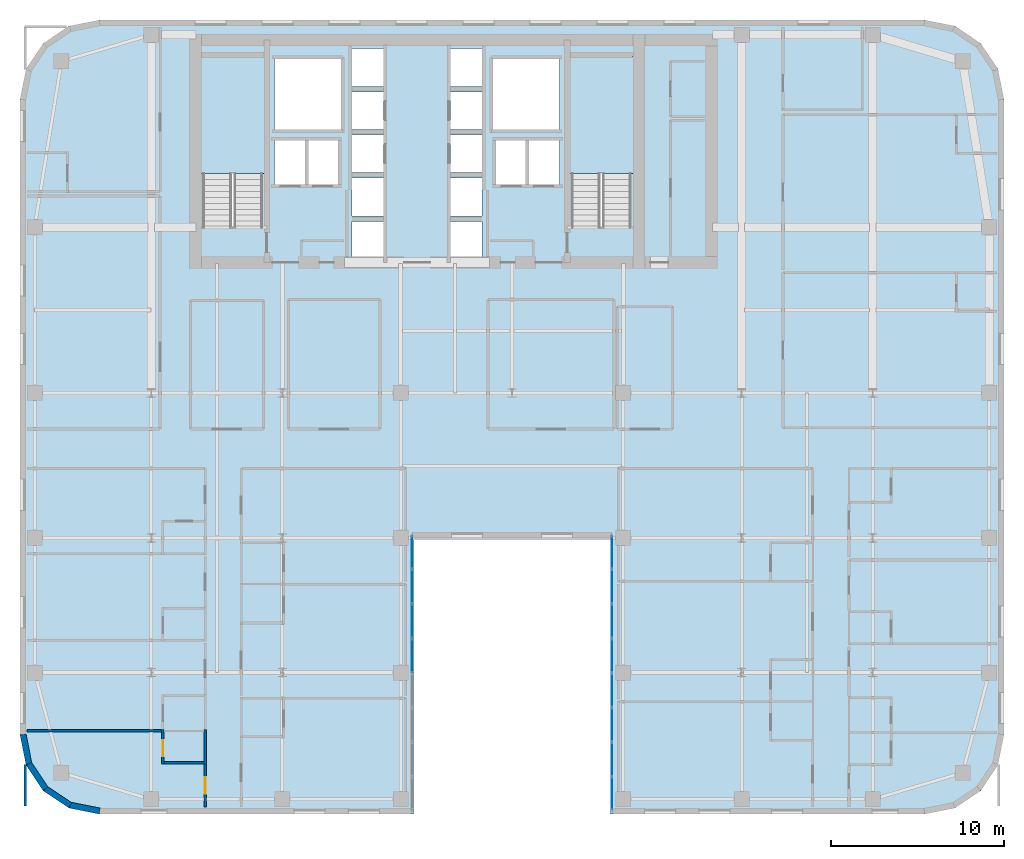
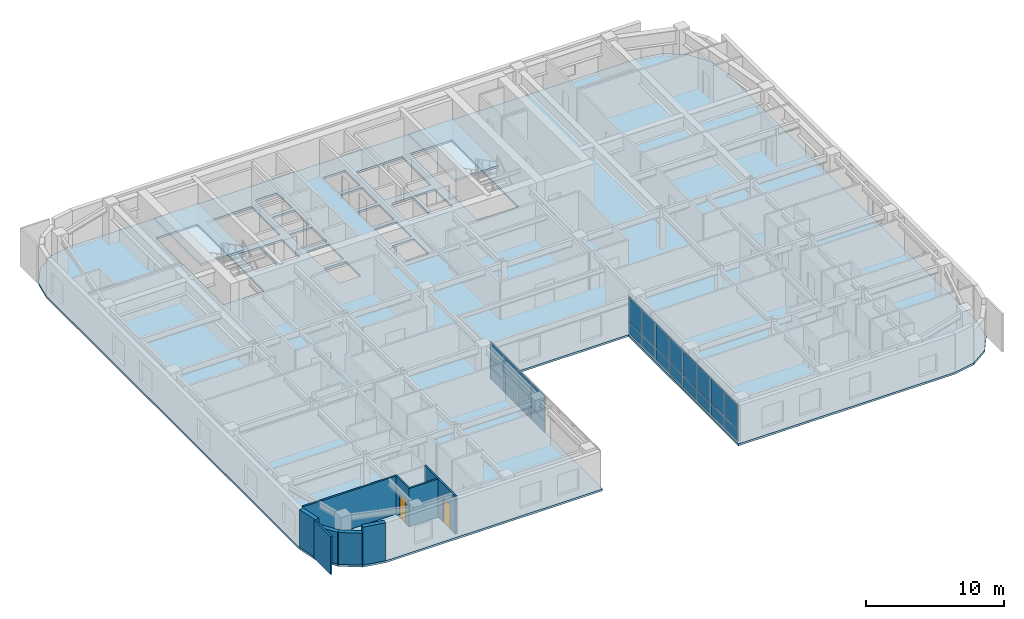
# One storey, part 9 of 17: 24 plates, 10 walls, 3 slabs, 2 doors, 2 openings, 4 elements without a shape of their own.
"""IFC4 building model written with IfcOpenShell, lengths in metres."""

from ifc_helpers import new_model, si_unit, direction, frame, frame_2d, origin, origin_2d, place, context, subcontext, project, spatial, polyline, rectangle, outline, extrude, source, transform, mapped, material, layer, layer_set, type_object, type_shapes, element, fill, aggregate, save


model = new_model("IFC4")

# Units and contexts
model_context = context("Model", 3, precision=1e-05, world=origin(), true_north=direction((0.0, 1.0)))
body_context = subcontext(model_context, "Body", "Model", "MODEL_VIEW")
ifc_project = project(units=[si_unit("LENGTHUNIT", "METRE"), si_unit("AREAUNIT", "SQUARE_METRE"), si_unit("VOLUMEUNIT", "CUBIC_METRE"), si_unit("PLANEANGLEUNIT", "RADIAN"), si_unit("MASSUNIT", "GRAM", prefix="KILO")], contexts=[model_context])

# Site, building, storey
site_placement = place(None, origin())
site = spatial("IfcSite", under=ifc_project, at=site_placement, CompositionType="ELEMENT")
building_placement = place(site_placement, origin())
building = spatial("IfcBuilding", under=site, at=building_placement, Name="Tolvann Quenvar Hotel", CompositionType="ELEMENT")
storey_placement = place(building_placement, frame((0.0, 0.0, 136.39990234375)))
storey = spatial("IfcBuildingStorey", under=building, at=storey_placement, Name="L35", CompositionType="ELEMENT", Elevation=136.39990234375)

# Stair, slab
ifc_material_1 = material(Name="Concrete N40 (40 MPa)", Category="concrete")
stair_type = type_object("IfcStairType", Name="STAIR", PredefinedType="HALF_TURN_STAIR", material=ifc_material_1)
stair_1_placement = place(storey_placement, origin())
stair_1 = element("IfcStair", 1, at=stair_1_placement, inside=storey, type_object=stair_type, Name="L35 ST-C1", PredefinedType="HALF_TURN_STAIR")
ifc_layer_1 = layer(ifc_material_1, 0.199951171875)
ifc_layer_set_1 = layer_set([ifc_layer_1], Name="Concrete N40 (40 MPa)")
slab_type_1 = type_object("IfcSlabType", Name="SLAB_LANDING", PredefinedType="LANDING", material=ifc_layer_set_1)
slab_1_placement = place(storey_placement, frame((0.0, 0.0, 1.5751953125)))
slab_1 = element("IfcSlab", 2, at=slab_1_placement, type_object=slab_type_1, Name="ST-C1 landing 1", PredefinedType="LANDING", context=body_context, shape_type="SweptSolid", body=[
    extrude(outline(polyline([(14.179931640625, 37.10498046875), (14.179931640625, 43.8798828125), (10.469970703125, 43.8798828125), (10.469970703125, 37.10498046875), (14.179931640625, 37.10498046875)])), origin(), (0.0, 0.0, 1.0), 0.199951171875),
])
aggregate(stair_1, [slab_1])

stair_2_placement = place(storey_placement, origin())
stair_2 = element("IfcStair", 3, at=stair_2_placement, inside=storey, type_object=stair_type, Name="L35 ST-C2", PredefinedType="HALF_TURN_STAIR")
slab_2_placement = place(storey_placement, frame((0.0, 0.0, 1.5751953125)))
slab_2 = element("IfcSlab", 4, at=slab_2_placement, type_object=slab_type_1, Name="ST-C2 landing 1", PredefinedType="LANDING", context=body_context, shape_type="SweptSolid", body=[
    extrude(outline(polyline([(35.530029296875, 37.10498046875), (35.530029296875, 43.8798828125), (31.820068359375, 43.8798828125), (31.820068359375, 37.10498046875), (35.530029296875, 37.10498046875)])), origin(), (0.0, 0.0, 1.0), 0.199951171875),
])
aggregate(stair_2, [slab_2])

# Slab
ifc_layer_2 = layer(ifc_material_1, 0.179931640625)
ifc_layer_set_2 = layer_set([ifc_layer_2], Name="Concrete N40 (40 MPa)")
slab_type_2 = type_object("IfcSlabType", Name="SLAB_TWR_180", PredefinedType="FLOOR", material=ifc_layer_set_2)
slab_3_placement = place(storey_placement, frame((0.0, 0.0, -0.179931640625)))
element("IfcSlab", 5, at=slab_3_placement, inside=storey, type_object=slab_type_2, Name="Level L35 Structural Floor Slab", PredefinedType="FLOOR", context=body_context, shape_type="SweptSolid", body=[
    extrude(outline(polyline([(0.0, 4.60009765625), (0.35009765625, 2.839599609375), (1.347412109375, 1.347412109375), (2.839599609375, 0.35009765625), (4.60009765625, 0.0), (22.800048828125, 0.0), (22.800048828125, 16.0), (34.199951171875, 16.0), (34.199951171875, 0.0), (52.39990234375, 0.0), (54.160400390625, 0.35009765625), (55.652587890625, 1.347412109375), (56.64990234375, 2.839599609375), (57.0, 4.60009765625), (57.0, 41.39990234375), (56.64990234375, 43.160400390625), (55.652587890625, 44.652587890625), (54.160400390625, 45.64990234375), (52.39990234375, 46.0), (4.60009765625, 46.0), (2.839599609375, 45.64990234375), (1.347412109375, 44.652587890625), (0.35009765625, 43.160400390625), (0.0, 41.39990234375), (0.0, 4.60009765625)]), holes=[polyline([(31.949951171875, 34.02490234375), (31.949951171875, 43.800048828125), (35.39990234375, 43.800048828125), (35.39990234375, 34.02490234375), (31.949951171875, 34.02490234375)]), polyline([(29.449951171875, 39.02001953125), (31.25, 39.02001953125), (31.25, 36.47998046875), (29.449951171875, 36.47998046875), (29.449951171875, 39.02001953125)]), polyline([(31.25, 43.75), (31.25, 39.64990234375), (27.39990234375, 39.64990234375), (27.39990234375, 43.75), (31.25, 43.75)]), polyline([(27.574951171875, 39.02001953125), (29.324951171875, 39.02001953125), (29.324951171875, 36.47998046875), (27.574951171875, 36.47998046875), (27.574951171875, 39.02001953125)]), polyline([(26.77001953125, 44.340087890625), (26.77001953125, 42.159912109375), (24.929931640625, 42.159912109375), (24.929931640625, 44.340087890625), (26.77001953125, 44.340087890625)]), polyline([(24.929931640625, 41.840087890625), (26.77001953125, 41.840087890625), (26.77001953125, 39.659912109375), (24.929931640625, 39.659912109375), (24.929931640625, 41.840087890625)]), polyline([(24.929931640625, 39.340087890625), (26.77001953125, 39.340087890625), (26.77001953125, 37.159912109375), (24.929931640625, 37.159912109375), (24.929931640625, 39.340087890625)]), polyline([(24.929931640625, 36.840087890625), (26.77001953125, 36.840087890625), (26.77001953125, 34.659912109375), (24.929931640625, 34.659912109375), (24.929931640625, 36.840087890625)]), polyline([(24.929931640625, 34.340087890625), (26.77001953125, 34.340087890625), (26.77001953125, 32.159912109375), (24.929931640625, 32.159912109375), (24.929931640625, 34.340087890625)]), polyline([(21.070068359375, 44.340087890625), (21.070068359375, 42.159912109375), (19.22998046875, 42.159912109375), (19.22998046875, 44.340087890625), (21.070068359375, 44.340087890625)]), polyline([(19.22998046875, 41.840087890625), (21.070068359375, 41.840087890625), (21.070068359375, 39.659912109375), (19.22998046875, 39.659912109375), (19.22998046875, 41.840087890625)]), polyline([(19.22998046875, 39.340087890625), (21.070068359375, 39.340087890625), (21.070068359375, 37.159912109375), (19.22998046875, 37.159912109375), (19.22998046875, 39.340087890625)]), polyline([(19.22998046875, 36.840087890625), (21.070068359375, 36.840087890625), (21.070068359375, 34.659912109375), (19.22998046875, 34.659912109375), (19.22998046875, 36.840087890625)]), polyline([(19.22998046875, 34.340087890625), (21.070068359375, 34.340087890625), (21.070068359375, 32.159912109375), (19.22998046875, 32.159912109375), (19.22998046875, 34.340087890625)]), polyline([(18.60009765625, 43.75), (18.60009765625, 39.64990234375), (14.75, 39.64990234375), (14.75, 43.75), (18.60009765625, 43.75)]), polyline([(16.675048828125, 39.02001953125), (18.425048828125, 39.02001953125), (18.425048828125, 36.47998046875), (16.675048828125, 36.47998046875), (16.675048828125, 39.02001953125)]), polyline([(14.75, 39.02001953125), (16.550048828125, 39.02001953125), (16.550048828125, 36.47998046875), (14.75, 36.47998046875), (14.75, 39.02001953125)]), polyline([(10.60009765625, 34.02490234375), (10.60009765625, 43.800048828125), (14.050048828125, 43.800048828125), (14.050048828125, 34.02490234375), (10.60009765625, 34.02490234375)])]), origin(), (0.0, 0.0, 1.0), 0.179931640625),
])

# Curtain wall, plate
ifc_material_2 = material(Name="Thermally broken anodised architectural aluminium 6063-T6 and laminated low-E glass", Category="aluminium")
ifc_layer_3 = layer(ifc_material_2, 0.179931640625)
ifc_layer_set_3 = layer_set([ifc_layer_3], Name="Thermally broken anodised architectural aluminium 6063-T6 and laminated low-E glass")
curtain_wall_type = type_object("IfcCurtainWallType", Name="CW_SYS_SLOT_03", PredefinedType="USERDEFINED", material=ifc_layer_set_3)
curtain_wall_1_placement = place(storey_placement, origin())
curtain_wall_1 = element("IfcCurtainWall", 6, at=curtain_wall_1_placement, inside=storey, type_object=curtain_wall_type, Name="Curtain Wall CW-SLOT-03 (CWR-L35-E05)", ObjectType="UNITISED CURTAIN WALL", PredefinedType="USERDEFINED")
ifc_material_3 = material(Name="Low-iron laminated double glazing with solar-control coating", Category="glass")
ifc_layer_4 = layer(ifc_material_3, 0.028076171875)
ifc_layer_set_4 = layer_set([ifc_layer_4], Name="Low-iron laminated double glazing with solar-control coating")
plate_type = type_object("IfcPlateType", Name="CW_PAN_VISION_28", PredefinedType="CURTAIN_PANEL", material=ifc_layer_set_4)
shared_shape_1 = source(origin(), body_context, "Body", "SweptSolid", [
    extrude(rectangle(XDim=1.89501953125, YDim=0.028076171875, at=origin_2d()), origin(), (0.0, 0.0, 1.0), 0.9599609375),
])
plate_1_placement = place(storey_placement, frame((22.7099609375, 15.157470703125, 0.06005859375), z_axis=(0.0, 0.0, 1.0), x_axis=(0.0, 1.0, 0.0)))
plate_1 = element("IfcPlate", 7, at=plate_1_placement, type_object=plate_type, Name="CW-SLOT-03 panel 8.1", PredefinedType="CURTAIN_PANEL", context=body_context, shape_type="MappedRepresentation", body=[
    mapped(shared_shape_1, transform((0.0, 0.0, 0.0), x_axis=(1.0, 0.0, 0.0), y_axis=(0.0, 1.0, 0.0), z_axis=(0.0, 0.0, 1.0), scale=1.0)),
])

# Curtain wall, plates
curtain_wall_2_placement = place(storey_placement, origin())
curtain_wall_2 = element("IfcCurtainWall", 8, at=curtain_wall_2_placement, inside=storey, type_object=curtain_wall_type, Name="Curtain Wall CW-SLOT-03 (CWR-L35-E07)", ObjectType="UNITISED CURTAIN WALL", PredefinedType="USERDEFINED")
plate_2_placement = place(storey_placement, frame((34.2900390625, 15.157470703125, 0.06005859375), z_axis=(0.0, 0.0, 1.0), x_axis=(0.0, -1.0, 0.0)))
plate_2 = element("IfcPlate", 9, at=plate_2_placement, type_object=plate_type, Name="CW-SLOT-03 panel 1.1", PredefinedType="CURTAIN_PANEL", context=body_context, shape_type="MappedRepresentation", body=[
    mapped(shared_shape_1, transform((0.0, 0.0, 0.0), x_axis=(1.0, 0.0, 0.0), y_axis=(0.0, 1.0, 0.0), z_axis=(0.0, 0.0, 1.0), scale=1.0)),
])
plate_3_placement = place(storey_placement, frame((34.2900390625, 1.1923828125, 0.06005859375), z_axis=(0.0, 0.0, 1.0), x_axis=(0.0, -1.0, 0.0)))
plate_3 = element("IfcPlate", 10, at=plate_3_placement, type_object=plate_type, Name="CW-SLOT-03 panel 8.1", PredefinedType="CURTAIN_PANEL", context=body_context, shape_type="MappedRepresentation", body=[
    mapped(shared_shape_1, transform((0.0, 0.0, 0.0), x_axis=(1.0, 0.0, 0.0), y_axis=(0.0, 1.0, 0.0), z_axis=(0.0, 0.0, 1.0), scale=1.0)),
])

# Plate
shared_shape_2 = source(origin(), body_context, "Body", "SweptSolid", [
    extrude(rectangle(XDim=1.89501953125, YDim=0.028076171875, at=origin_2d()), origin(), (0.0, 0.0, 1.0), 2.22998046875),
])
plate_4_placement = place(storey_placement, frame((22.7099609375, 15.157470703125, 1.080078125), z_axis=(0.0, 0.0, 1.0), x_axis=(0.0, 1.0, 0.0)))
plate_4 = element("IfcPlate", 11, at=plate_4_placement, type_object=plate_type, Name="CW-SLOT-03 panel 8.2", PredefinedType="CURTAIN_PANEL", context=body_context, shape_type="MappedRepresentation", body=[
    mapped(shared_shape_2, transform((0.0, 0.0, 0.0), x_axis=(1.0, 0.0, 0.0), y_axis=(0.0, 1.0, 0.0), z_axis=(0.0, 0.0, 1.0), scale=1.0)),
])

plate_5_placement = place(storey_placement, frame((34.2900390625, 15.157470703125, 1.080078125), z_axis=(0.0, 0.0, 1.0), x_axis=(0.0, -1.0, 0.0)))
plate_5 = element("IfcPlate", 12, at=plate_5_placement, type_object=plate_type, Name="CW-SLOT-03 panel 1.2", PredefinedType="CURTAIN_PANEL", context=body_context, shape_type="MappedRepresentation", body=[
    mapped(shared_shape_2, transform((0.0, 0.0, 0.0), x_axis=(1.0, 0.0, 0.0), y_axis=(0.0, 1.0, 0.0), z_axis=(0.0, 0.0, 1.0), scale=1.0)),
])

plate_6_placement = place(storey_placement, frame((34.2900390625, 1.1923828125, 1.080078125), z_axis=(0.0, 0.0, 1.0), x_axis=(0.0, -1.0, 0.0)))
plate_6 = element("IfcPlate", 13, at=plate_6_placement, type_object=plate_type, Name="CW-SLOT-03 panel 8.2", PredefinedType="CURTAIN_PANEL", context=body_context, shape_type="MappedRepresentation", body=[
    mapped(shared_shape_2, transform((0.0, 0.0, 0.0), x_axis=(1.0, 0.0, 0.0), y_axis=(0.0, 1.0, 0.0), z_axis=(0.0, 0.0, 1.0), scale=1.0)),
])

shared_shape_3 = source(origin(), body_context, "Body", "SweptSolid", [
    extrude(rectangle(XDim=1.929931640625, YDim=0.028076171875, at=origin_2d()), origin(), (0.0, 0.0, 1.0), 0.9599609375),
])
plate_7_placement = place(storey_placement, frame((22.7099609375, 9.175048828125, 0.06005859375), z_axis=(0.0, 0.0, 1.0), x_axis=(0.0, 1.0, 0.0)))
plate_7 = element("IfcPlate", 14, at=plate_7_placement, type_object=plate_type, Name="CW-SLOT-03 panel 5.1", PredefinedType="CURTAIN_PANEL", context=body_context, shape_type="MappedRepresentation", body=[
    mapped(shared_shape_3, transform((0.0, 0.0, 0.0), x_axis=(1.0, 0.0, 0.0), y_axis=(0.0, 1.0, 0.0), z_axis=(0.0, 0.0, 1.0), scale=1.0)),
])

plate_8_placement = place(storey_placement, frame((22.7099609375, 11.175048828125, 0.06005859375), z_axis=(0.0, 0.0, 1.0), x_axis=(0.0, 1.0, 0.0)))
plate_8 = element("IfcPlate", 15, at=plate_8_placement, type_object=plate_type, Name="CW-SLOT-03 panel 6.1", PredefinedType="CURTAIN_PANEL", context=body_context, shape_type="MappedRepresentation", body=[
    mapped(shared_shape_3, transform((0.0, 0.0, 0.0), x_axis=(1.0, 0.0, 0.0), y_axis=(0.0, 1.0, 0.0), z_axis=(0.0, 0.0, 1.0), scale=1.0)),
])

plate_9_placement = place(storey_placement, frame((22.7099609375, 13.175048828125, 0.06005859375), z_axis=(0.0, 0.0, 1.0), x_axis=(0.0, 1.0, 0.0)))
plate_9 = element("IfcPlate", 16, at=plate_9_placement, type_object=plate_type, Name="CW-SLOT-03 panel 7.1", PredefinedType="CURTAIN_PANEL", context=body_context, shape_type="MappedRepresentation", body=[
    mapped(shared_shape_3, transform((0.0, 0.0, 0.0), x_axis=(1.0, 0.0, 0.0), y_axis=(0.0, 1.0, 0.0), z_axis=(0.0, 0.0, 1.0), scale=1.0)),
])

plate_10_placement = place(storey_placement, frame((34.2900390625, 13.175048828125, 0.06005859375), z_axis=(0.0, 0.0, 1.0), x_axis=(0.0, -1.0, 0.0)))
plate_10 = element("IfcPlate", 17, at=plate_10_placement, type_object=plate_type, Name="CW-SLOT-03 panel 2.1", PredefinedType="CURTAIN_PANEL", context=body_context, shape_type="MappedRepresentation", body=[
    mapped(shared_shape_3, transform((0.0, 0.0, 0.0), x_axis=(1.0, 0.0, 0.0), y_axis=(0.0, 1.0, 0.0), z_axis=(0.0, 0.0, 1.0), scale=1.0)),
])

plate_11_placement = place(storey_placement, frame((34.2900390625, 11.175048828125, 0.06005859375), z_axis=(0.0, 0.0, 1.0), x_axis=(0.0, -1.0, 0.0)))
plate_11 = element("IfcPlate", 18, at=plate_11_placement, type_object=plate_type, Name="CW-SLOT-03 panel 3.1", PredefinedType="CURTAIN_PANEL", context=body_context, shape_type="MappedRepresentation", body=[
    mapped(shared_shape_3, transform((0.0, 0.0, 0.0), x_axis=(1.0, 0.0, 0.0), y_axis=(0.0, 1.0, 0.0), z_axis=(0.0, 0.0, 1.0), scale=1.0)),
])

plate_12_placement = place(storey_placement, frame((34.2900390625, 9.175048828125, 0.06005859375), z_axis=(0.0, 0.0, 1.0), x_axis=(0.0, -1.0, 0.0)))
plate_12 = element("IfcPlate", 19, at=plate_12_placement, type_object=plate_type, Name="CW-SLOT-03 panel 4.1", PredefinedType="CURTAIN_PANEL", context=body_context, shape_type="MappedRepresentation", body=[
    mapped(shared_shape_3, transform((0.0, 0.0, 0.0), x_axis=(1.0, 0.0, 0.0), y_axis=(0.0, 1.0, 0.0), z_axis=(0.0, 0.0, 1.0), scale=1.0)),
])

plate_13_placement = place(storey_placement, frame((34.2900390625, 7.175048828125, 0.06005859375), z_axis=(0.0, 0.0, 1.0), x_axis=(0.0, -1.0, 0.0)))
plate_13 = element("IfcPlate", 20, at=plate_13_placement, type_object=plate_type, Name="CW-SLOT-03 panel 5.1", PredefinedType="CURTAIN_PANEL", context=body_context, shape_type="MappedRepresentation", body=[
    mapped(shared_shape_3, transform((0.0, 0.0, 0.0), x_axis=(1.0, 0.0, 0.0), y_axis=(0.0, 1.0, 0.0), z_axis=(0.0, 0.0, 1.0), scale=1.0)),
])

plate_14_placement = place(storey_placement, frame((34.2900390625, 5.175048828125, 0.06005859375), z_axis=(0.0, 0.0, 1.0), x_axis=(0.0, -1.0, 0.0)))
plate_14 = element("IfcPlate", 21, at=plate_14_placement, type_object=plate_type, Name="CW-SLOT-03 panel 6.1", PredefinedType="CURTAIN_PANEL", context=body_context, shape_type="MappedRepresentation", body=[
    mapped(shared_shape_3, transform((0.0, 0.0, 0.0), x_axis=(1.0, 0.0, 0.0), y_axis=(0.0, 1.0, 0.0), z_axis=(0.0, 0.0, 1.0), scale=1.0)),
])

plate_15_placement = place(storey_placement, frame((34.2900390625, 3.175048828125, 0.06005859375), z_axis=(0.0, 0.0, 1.0), x_axis=(0.0, -1.0, 0.0)))
plate_15 = element("IfcPlate", 22, at=plate_15_placement, type_object=plate_type, Name="CW-SLOT-03 panel 7.1", PredefinedType="CURTAIN_PANEL", context=body_context, shape_type="MappedRepresentation", body=[
    mapped(shared_shape_3, transform((0.0, 0.0, 0.0), x_axis=(1.0, 0.0, 0.0), y_axis=(0.0, 1.0, 0.0), z_axis=(0.0, 0.0, 1.0), scale=1.0)),
])

shared_shape_4 = source(origin(), body_context, "Body", "SweptSolid", [
    extrude(rectangle(XDim=1.929931640625, YDim=0.028076171875, at=origin_2d()), origin(), (0.0, 0.0, 1.0), 2.22998046875),
])
type_shapes(plate_type, [shared_shape_1, shared_shape_2, shared_shape_3, shared_shape_4])
plate_16_placement = place(storey_placement, frame((22.7099609375, 9.175048828125, 1.080078125), z_axis=(0.0, 0.0, 1.0), x_axis=(0.0, 1.0, 0.0)))
plate_16 = element("IfcPlate", 23, at=plate_16_placement, type_object=plate_type, Name="CW-SLOT-03 panel 5.2", PredefinedType="CURTAIN_PANEL", context=body_context, shape_type="MappedRepresentation", body=[
    mapped(shared_shape_4, transform((0.0, 0.0, 0.0), x_axis=(1.0, 0.0, 0.0), y_axis=(0.0, 1.0, 0.0), z_axis=(0.0, 0.0, 1.0), scale=1.0)),
])

plate_17_placement = place(storey_placement, frame((22.7099609375, 11.175048828125, 1.080078125), z_axis=(0.0, 0.0, 1.0), x_axis=(0.0, 1.0, 0.0)))
plate_17 = element("IfcPlate", 24, at=plate_17_placement, type_object=plate_type, Name="CW-SLOT-03 panel 6.2", PredefinedType="CURTAIN_PANEL", context=body_context, shape_type="MappedRepresentation", body=[
    mapped(shared_shape_4, transform((0.0, 0.0, 0.0), x_axis=(1.0, 0.0, 0.0), y_axis=(0.0, 1.0, 0.0), z_axis=(0.0, 0.0, 1.0), scale=1.0)),
])

plate_18_placement = place(storey_placement, frame((22.7099609375, 13.175048828125, 1.080078125), z_axis=(0.0, 0.0, 1.0), x_axis=(0.0, 1.0, 0.0)))
plate_18 = element("IfcPlate", 25, at=plate_18_placement, type_object=plate_type, Name="CW-SLOT-03 panel 7.2", PredefinedType="CURTAIN_PANEL", context=body_context, shape_type="MappedRepresentation", body=[
    mapped(shared_shape_4, transform((0.0, 0.0, 0.0), x_axis=(1.0, 0.0, 0.0), y_axis=(0.0, 1.0, 0.0), z_axis=(0.0, 0.0, 1.0), scale=1.0)),
])

aggregate(curtain_wall_1, [plate_7, plate_16, plate_8, plate_17, plate_9, plate_18, plate_1, plate_4])

plate_19_placement = place(storey_placement, frame((34.2900390625, 13.175048828125, 1.080078125), z_axis=(0.0, 0.0, 1.0), x_axis=(0.0, -1.0, 0.0)))
plate_19 = element("IfcPlate", 26, at=plate_19_placement, type_object=plate_type, Name="CW-SLOT-03 panel 2.2", PredefinedType="CURTAIN_PANEL", context=body_context, shape_type="MappedRepresentation", body=[
    mapped(shared_shape_4, transform((0.0, 0.0, 0.0), x_axis=(1.0, 0.0, 0.0), y_axis=(0.0, 1.0, 0.0), z_axis=(0.0, 0.0, 1.0), scale=1.0)),
])

plate_20_placement = place(storey_placement, frame((34.2900390625, 11.175048828125, 1.080078125), z_axis=(0.0, 0.0, 1.0), x_axis=(0.0, -1.0, 0.0)))
plate_20 = element("IfcPlate", 27, at=plate_20_placement, type_object=plate_type, Name="CW-SLOT-03 panel 3.2", PredefinedType="CURTAIN_PANEL", context=body_context, shape_type="MappedRepresentation", body=[
    mapped(shared_shape_4, transform((0.0, 0.0, 0.0), x_axis=(1.0, 0.0, 0.0), y_axis=(0.0, 1.0, 0.0), z_axis=(0.0, 0.0, 1.0), scale=1.0)),
])

plate_21_placement = place(storey_placement, frame((34.2900390625, 9.175048828125, 1.080078125), z_axis=(0.0, 0.0, 1.0), x_axis=(0.0, -1.0, 0.0)))
plate_21 = element("IfcPlate", 28, at=plate_21_placement, type_object=plate_type, Name="CW-SLOT-03 panel 4.2", PredefinedType="CURTAIN_PANEL", context=body_context, shape_type="MappedRepresentation", body=[
    mapped(shared_shape_4, transform((0.0, 0.0, 0.0), x_axis=(1.0, 0.0, 0.0), y_axis=(0.0, 1.0, 0.0), z_axis=(0.0, 0.0, 1.0), scale=1.0)),
])

plate_22_placement = place(storey_placement, frame((34.2900390625, 7.175048828125, 1.080078125), z_axis=(0.0, 0.0, 1.0), x_axis=(0.0, -1.0, 0.0)))
plate_22 = element("IfcPlate", 29, at=plate_22_placement, type_object=plate_type, Name="CW-SLOT-03 panel 5.2", PredefinedType="CURTAIN_PANEL", context=body_context, shape_type="MappedRepresentation", body=[
    mapped(shared_shape_4, transform((0.0, 0.0, 0.0), x_axis=(1.0, 0.0, 0.0), y_axis=(0.0, 1.0, 0.0), z_axis=(0.0, 0.0, 1.0), scale=1.0)),
])

plate_23_placement = place(storey_placement, frame((34.2900390625, 5.175048828125, 1.080078125), z_axis=(0.0, 0.0, 1.0), x_axis=(0.0, -1.0, 0.0)))
plate_23 = element("IfcPlate", 30, at=plate_23_placement, type_object=plate_type, Name="CW-SLOT-03 panel 6.2", PredefinedType="CURTAIN_PANEL", context=body_context, shape_type="MappedRepresentation", body=[
    mapped(shared_shape_4, transform((0.0, 0.0, 0.0), x_axis=(1.0, 0.0, 0.0), y_axis=(0.0, 1.0, 0.0), z_axis=(0.0, 0.0, 1.0), scale=1.0)),
])

plate_24_placement = place(storey_placement, frame((34.2900390625, 3.175048828125, 1.080078125), z_axis=(0.0, 0.0, 1.0), x_axis=(0.0, -1.0, 0.0)))
plate_24 = element("IfcPlate", 31, at=plate_24_placement, type_object=plate_type, Name="CW-SLOT-03 panel 7.2", PredefinedType="CURTAIN_PANEL", context=body_context, shape_type="MappedRepresentation", body=[
    mapped(shared_shape_4, transform((0.0, 0.0, 0.0), x_axis=(1.0, 0.0, 0.0), y_axis=(0.0, 1.0, 0.0), z_axis=(0.0, 0.0, 1.0), scale=1.0)),
])

aggregate(curtain_wall_2, [plate_2, plate_5, plate_10, plate_19, plate_11, plate_20, plate_12, plate_21, plate_13, plate_22, plate_14, plate_23, plate_15, plate_24, plate_3, plate_6])

# Walls
ifc_material_4 = material(Name="Kiln-fired red and buff architectural clay brickwork and terracotta masonry", Category="masonry")
ifc_layer_5 = layer(ifc_material_4, 0.35009765625)
ifc_layer_set_5 = layer_set([ifc_layer_5], Name="Kiln-fired red and buff architectural clay brickwork and terracotta masonry")
wall_type_1 = type_object("IfcWallType", Name="WALL_EXT_BRICK_350", PredefinedType="SOLIDWALL", material=ifc_layer_set_5)
for number, where, z_axis, x_axis, name in (
    (32, (0.514892578125, 2.907958984375, 0.0), (0.0, 0.0, 1.0), (0.55554893791, -0.831483840845, 0.0), "Exterior Chicago Brick Wall L35-E01"),
    (33, (1.473388671875, 1.473388671875, 0.0), (0.0, 0.0, 1.0), (0.831483840845, -0.55554893791, 0.0), "Exterior Chicago Brick Wall L35-E02"),
):
    element("IfcWall", number, at=place(storey_placement, frame(where, z_axis=z_axis, x_axis=x_axis)), inside=storey, type_object=wall_type_1, Name=name, PredefinedType="SOLIDWALL", context=body_context, shape_type="SweptSolid", body=[
        extrude(rectangle(XDim=1.725341796875, YDim=0.35009765625, at=frame_2d((0.86279296875, 0.0))), origin(), (0.0, 0.0, 1.0), 2.83203125),
    ])
for number, where, z_axis, x_axis, name in (
    (34, (2.907958984375, 0.514892578125, 0.0), (0.0, 0.0, 1.0), (0.980800971659, -0.195011420161, 0.0), "Exterior Chicago Brick Wall L35-E03"),
    (35, (0.175048828125, 4.6171875, 0.0), (0.0, 0.0, 1.0), (0.195011420161, -0.980800971659, 0.0), "Exterior Chicago Brick Wall L35-E24"),
):
    element("IfcWall", number, at=place(storey_placement, frame(where, z_axis=z_axis, x_axis=x_axis)), inside=storey, type_object=wall_type_1, Name=name, PredefinedType="SOLIDWALL", context=body_context, shape_type="SweptSolid", body=[
        extrude(rectangle(XDim=1.74267578125, YDim=0.35009765625, at=frame_2d((0.871337890625, 0.0))), origin(), (0.0, 0.0, 1.0), 3.3701171875),
    ])
ifc_material_5 = material(Name="Moisture-resistant acoustic plumbing wall assembly")
ifc_layer_6 = layer(ifc_material_5, 0.1201171875)
ifc_layer_set_6 = layer_set([ifc_layer_6], Name="Moisture-resistant acoustic plumbing wall assembly")
wall_type_2 = type_object("IfcWallType", Name="WALL_PART_BATH_120", PredefinedType="PLUMBINGWALL", material=ifc_layer_set_6)
wall_1_placement = place(storey_placement, frame((10.72998046875, 2.89990234375, 0.0), z_axis=(0.0, 0.0, 1.0), x_axis=(0.0, 1.0, 0.0)))
element("IfcWall", 36, at=wall_1_placement, inside=storey, type_object=wall_type_2, Name="Non-Rated Plumbing Partition PT-SPC-L35-ENS-WO01-E", PredefinedType="PLUMBINGWALL", context=body_context, shape_type="SweptSolid", body=[
    extrude(rectangle(XDim=1.989990234375, YDim=0.1201171875, at=frame_2d((0.9951171875, 0.0))), origin(), (0.0, 0.0, 1.0), 3.3701171875),
])

# Wall, opening, door
ifc_material_6 = material(Name="Acoustic twin-stud fire-rated gypsum plasterboard partition")
ifc_layer_7 = layer(ifc_material_6, 0.14990234375)
ifc_layer_set_7 = layer_set([ifc_layer_7], Name="Acoustic twin-stud fire-rated gypsum plasterboard partition")
wall_type_3 = type_object("IfcWallType", Name="WALL_PART_SUITE_150", PredefinedType="PARTITIONING", material=ifc_layer_set_7)
wall_2_placement = place(storey_placement, frame((8.280029296875, 2.89990234375, 0.0), z_axis=(0.0, 0.0, 1.0), x_axis=(0.0, 1.0, 0.0)))
wall_2 = element("IfcWall", 37, at=wall_2_placement, inside=storey, type_object=wall_type_3, Name="Interior Partition PT-SPC-L35-ENS-WO01-ENT", PredefinedType="PARTITIONING", context=body_context, shape_type="SweptSolid", body=[
    extrude(rectangle(XDim=1.989990234375, YDim=0.14990234375, at=frame_2d((0.9951171875, 0.0))), origin(), (0.0, 0.0, 1.0), 3.3701171875),
])
opening_1_placement = place(wall_2_placement, frame((0.465087890625, 0.0, 0.0)))
opening_1 = element("IfcOpeningElement", 38, at=opening_1_placement, cuts=wall_2, Name="Opening WD-01", PredefinedType="OPENING", context=body_context, shape_type="SweptSolid", body=[
    extrude(rectangle(XDim=0.919921875, YDim=2.010009765625, at=frame_2d((0.4599609375, 1.0048828125))), frame((0.0, 0.0849609375, 0.0), z_axis=(0.0, -1.0, 0.0), x_axis=(1.0, 0.0, 0.0)), (0.0, 0.0, 1.0), 0.169921875),
])
ifc_material_7 = material(Name="Solid-core American oak acoustic fire door leaf in steel frame", Category="steel")
door_type_1 = type_object("IfcDoorType", Name="DOOR_WC_920", OperationType="NOTDEFINED", PredefinedType="DOOR", material=ifc_material_7)
shared_shape_5 = source(origin(), body_context, "Body", "SweptSolid", [
    extrude(rectangle(XDim=0.919921875, YDim=2.010009765625, at=frame_2d((0.4599609375, 1.0048828125))), frame((0.0, 0.02490234375, 0.0), z_axis=(0.0, -1.0, 0.0), x_axis=(1.0, 0.0, 0.0)), (0.0, 0.0, 1.0), 0.050048828125),
])
type_shapes(door_type_1, [shared_shape_5])
door_1_placement = place(opening_1_placement, origin())
door_1 = element("IfcDoor", 39, at=door_1_placement, inside=storey, type_object=door_type_1, Name="Interior Door DOOR-SPC-L35-ENS-WO01", OperationType="SINGLE_SWING_LEFT", OverallHeight=2.010009765625, OverallWidth=0.919921875, PredefinedType="DOOR", context=body_context, shape_type="MappedRepresentation", body=[
    mapped(shared_shape_5, transform((0.0, 0.0, 0.0), x_axis=(1.0, 0.0, 0.0), y_axis=(0.0, 1.0, 0.0), z_axis=(0.0, 0.0, 1.0), scale=1.0)),
])
fill(opening_1, door_1)

# Wall
wall_3_placement = place(storey_placement, frame((8.2099609375, 2.969970703125, 0.0), z_axis=(0.0, 0.0, 1.0), x_axis=(1.0, 0.0, 0.0)))
element("IfcWall", 40, at=wall_3_placement, inside=storey, type_object=wall_type_3, Name="Interior Partition PT-SPC-L35-ENS-WO01-S", PredefinedType="PARTITIONING", context=body_context, shape_type="SweptSolid", body=[
    extrude(rectangle(XDim=2.590087890625, YDim=0.14990234375, at=frame_2d((1.294921875, 0.0))), origin(), (0.0, 0.0, 1.0), 3.3701171875),
])

# Wall, opening, door
wall_4_placement = place(storey_placement, frame((10.72998046875, 0.405029296875, 0.0), z_axis=(0.0, 0.0, 1.0), x_axis=(0.0, 1.0, 0.0)))
wall_4 = element("IfcWall", 41, at=wall_4_placement, inside=storey, type_object=wall_type_3, Name="Interior Partition PT-SPC-L35-RM-WO01-ENT", PredefinedType="PARTITIONING", context=body_context, shape_type="SweptSolid", body=[
    extrude(rectangle(XDim=2.48486328125, YDim=0.14990234375, at=frame_2d((1.242431640625, 0.0))), origin(), (0.0, 0.0, 1.0), 3.3701171875),
])
opening_2_placement = place(wall_4_placement, frame((0.760009765625, 0.0, 0.0)))
opening_2 = element("IfcOpeningElement", 42, at=opening_2_placement, cuts=wall_4, Name="Opening SD-01", PredefinedType="OPENING", context=body_context, shape_type="SweptSolid", body=[
    extrude(rectangle(XDim=0.97998046875, YDim=2.1201171875, at=frame_2d((0.489990234375, 1.06005859375))), frame((0.0, 0.0849609375, 0.0), z_axis=(0.0, -1.0, 0.0), x_axis=(1.0, 0.0, 0.0)), (0.0, 0.0, 1.0), 0.169921875),
])
door_type_2 = type_object("IfcDoorType", Name="DOOR_SUITE_980", OperationType="NOTDEFINED", PredefinedType="DOOR", material=ifc_material_7)
shared_shape_6 = source(origin(), body_context, "Body", "SweptSolid", [
    extrude(rectangle(XDim=0.97998046875, YDim=2.1201171875, at=frame_2d((0.489990234375, 1.06005859375))), frame((0.0, 0.02490234375, 0.0), z_axis=(0.0, -1.0, 0.0), x_axis=(1.0, 0.0, 0.0)), (0.0, 0.0, 1.0), 0.050048828125),
])
type_shapes(door_type_2, [shared_shape_6])
door_2_placement = place(opening_2_placement, origin())
door_2 = element("IfcDoor", 43, at=door_2_placement, inside=storey, type_object=door_type_2, Name="Interior Door DOOR-SPC-L35-RM-WO01", OperationType="SINGLE_SWING_RIGHT", OverallHeight=2.1201171875, OverallWidth=0.97998046875, PredefinedType="DOOR", context=body_context, shape_type="MappedRepresentation", body=[
    mapped(shared_shape_6, transform((0.0, 0.0, 0.0), x_axis=(1.0, 0.0, 0.0), y_axis=(0.0, 1.0, 0.0), z_axis=(0.0, 0.0, 1.0), scale=1.0)),
])
fill(opening_2, door_2)

# Walls
wall_5_placement = place(storey_placement, frame((0.405029296875, 4.820068359375, 0.0), z_axis=(0.0, 0.0, 1.0), x_axis=(1.0, 0.0, 0.0)))
element("IfcWall", 44, at=wall_5_placement, inside=storey, type_object=wall_type_3, Name="Interior Partition PT-SPC-L35-RM-WO01-E5", PredefinedType="PARTITIONING", context=body_context, shape_type="SweptSolid", body=[
    extrude(rectangle(XDim=7.85498046875, YDim=0.14990234375, at=frame_2d((3.927490234375, 0.0))), origin(), (0.0, 0.0, 1.0), 3.3701171875),
])
wall_6_placement = place(storey_placement, frame((0.300048828125, 0.47998046875, 0.0), z_axis=(0.0, 0.0, 1.0), x_axis=(0.0, 1.0, 0.0)))
element("IfcWall", 45, at=wall_6_placement, inside=storey, type_object=wall_type_3, Name="Interior Partition PT-SPC-L35-RM-WO01-E6", PredefinedType="PARTITIONING", context=body_context, shape_type="SweptSolid", body=[
    extrude(rectangle(XDim=2.385009765625, YDim=0.14990234375, at=frame_2d((1.1923828125, 0.0))), origin(), (0.0, 0.0, 1.0), 3.3701171875),
])

save(model, "model.ifc")
